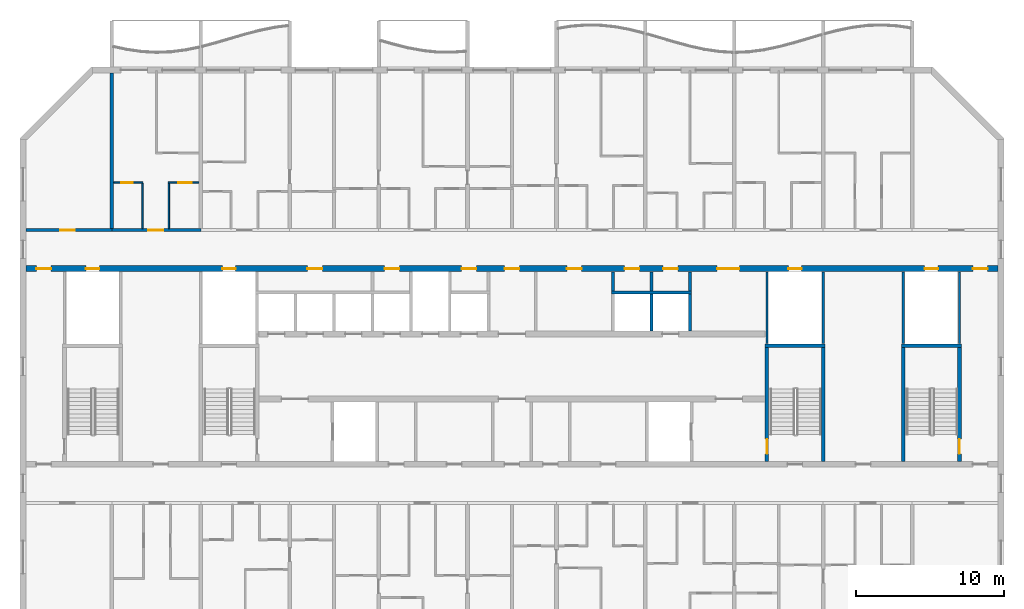
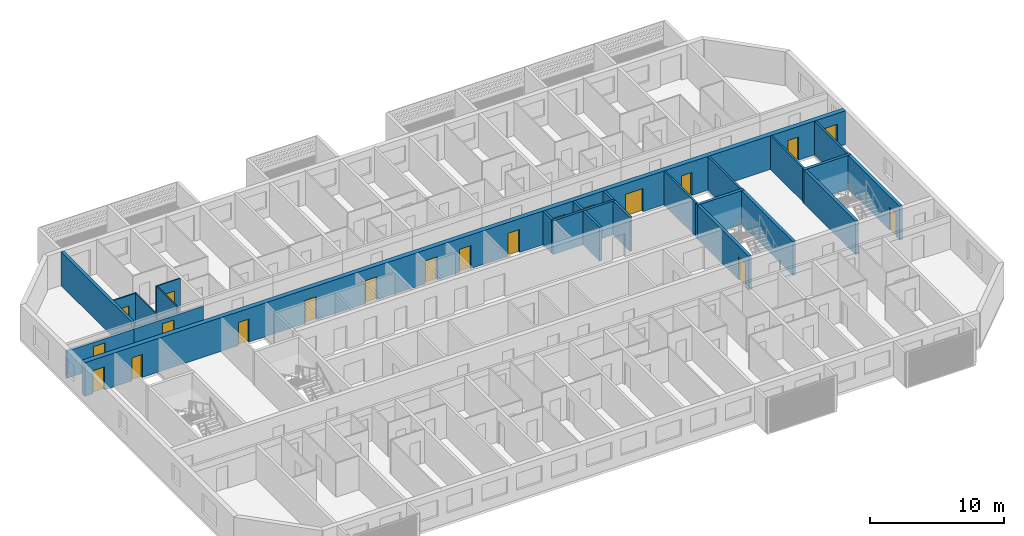
# One storey, part 7 of 28: 24 walls, 20 doors, 20 openings.
"""IFC4 building model written with IfcOpenShell, lengths in metres."""

import ifcopenshell
import ifcopenshell.guid

model = None  # the IFC model being written
_history = None  # IfcOwnerHistory: only IFC2X3 demands one
_inside = {}  # id of a spatial element -> (the spatial element, [elements in it])
_under = {}  # id of a project, library or spatial element -> (it, [spatial elements below it])
_declared = {}  # id of a project -> (the project, [libraries it declares])
_typed = {}  # id of a type object -> (the type object, [elements of that type])
_made_of = {}  # id of a material, layer set ... -> (it, [elements and type objects made of it])


def new_model(schema):
    """Start an empty IFC model of exactly this schema.

    Asked for "IFC4X3", IfcOpenShell would pick the latest addendum, in which some entities
    have other attributes; the version numbers below select the first issue.
    IFC2X3 requires an IfcOwnerHistory on every rooted entity: one is made here for all.
    """
    global model, _history
    if schema == "IFC4X3":
        model = ifcopenshell.file(schema_version=(4, 3, 0, 0))
    else:
        model = ifcopenshell.file(schema=schema)
    _inside.clear()
    _under.clear()
    _declared.clear()
    _typed.clear()
    _made_of.clear()
    _history = None
    if model.schema == "IFC2X3":
        org = make("IfcOrganization", Name="unknown")
        user = make(
            "IfcPersonAndOrganization",
            ThePerson=make("IfcPerson", FamilyName="unknown"),
            TheOrganization=org,
        )
        app = make(
            "IfcApplication",
            ApplicationDeveloper=org,
            Version="unknown",
            ApplicationFullName="unknown",
            ApplicationIdentifier="unknown",
        )
        _history = make(
            "IfcOwnerHistory",
            OwningUser=user,
            OwningApplication=app,
            ChangeAction="ADDED",
            CreationDate=0,
        )
    return model


def make(cls, **values):
    """One entity of the class cls with the attributes given. An attribute that is None is left unset."""
    return model.create_entity(
        cls, **{name: value for name, value in values.items() if value is not None}
    )


def rooted(cls, **values):
    """An entity with a GlobalId (a new one), such as an element, a storey or a relation."""
    return make(cls, GlobalId=ifcopenshell.guid.new(), OwnerHistory=_history, **values)


def si_unit(unit_type, name, prefix=None):
    """IfcSIUnit, for example si_unit("LENGTHUNIT", "METRE", prefix="MILLI")."""
    return make("IfcSIUnit", UnitType=unit_type, Prefix=prefix, Name=name)


def assignment(units):
    """IfcUnitAssignment: the units of a project."""
    return None if units is None else make("IfcUnitAssignment", Units=units)


def point(xyz):
    """IfcCartesianPoint."""
    return None if xyz is None else make("IfcCartesianPoint", Coordinates=xyz)


def direction(xyz):
    """IfcDirection."""
    return None if xyz is None else make("IfcDirection", DirectionRatios=xyz)


def frame(location, z_axis=None, x_axis=None):
    """IfcAxis2Placement3D, a coordinate frame: its origin and axes. An axis left out is left unset."""
    return make(
        "IfcAxis2Placement3D",
        Location=point(location),
        Axis=direction(z_axis),
        RefDirection=direction(x_axis),
    )


def frame_2d(location, x_axis=None):
    """IfcAxis2Placement2D, a coordinate frame in the plane: its origin and x axis."""
    return make(
        "IfcAxis2Placement2D", Location=point(location), RefDirection=direction(x_axis)
    )


def origin():
    """The frame at (0, 0, 0) with its axes left unset."""
    return frame((0.0, 0.0, 0.0))


def place(relative_to, where):
    """IfcLocalPlacement: puts the frame where relative to a parent placement (None: the world)."""
    return make(
        "IfcLocalPlacement", PlacementRelTo=relative_to, RelativePlacement=where
    )


def context(
    kind, dimensions, precision=None, world=None, true_north=None, identifier=None
):
    """IfcGeometricRepresentationContext, for example the 3D "Model" context."""
    return make(
        "IfcGeometricRepresentationContext",
        ContextIdentifier=identifier,
        ContextType=kind,
        CoordinateSpaceDimension=dimensions,
        Precision=precision,
        WorldCoordinateSystem=world,
        TrueNorth=true_north,
    )


def subcontext(parent, identifier, kind, view, scale=None):
    """IfcGeometricRepresentationSubContext, for example "Body" below "Model"."""
    return make(
        "IfcGeometricRepresentationSubContext",
        ContextIdentifier=identifier,
        ContextType=kind,
        ParentContext=parent,
        TargetScale=scale,
        TargetView=view,
    )


def project(units=None, contexts=None):
    """IfcProject with its units and contexts."""
    return rooted(
        "IfcProject",
        Name="project",
        RepresentationContexts=contexts,
        UnitsInContext=assignment(units),
    )


def spatial(cls, under=None, at=None, **own):
    """A site, building, storey or space (cls), placed at a placement, below another one or the project."""
    s = rooted(cls, ObjectPlacement=at, **own)
    if under is not None:
        _under.setdefault(under.id(), (under, []))[1].append(s)
    return s


def profile(cls, at=None, kind="AREA", **sizes):
    """A parametric profile (cls). Its sizes go by their IFC names, for example OverallWidth=200.0."""
    return make(cls, ProfileType=kind, Position=at, **sizes)


def rectangle(**sizes):
    """IfcRectangleProfileDef."""
    return profile("IfcRectangleProfileDef", **sizes)


def extrude(swept, where, along, depth):
    """IfcExtrudedAreaSolid: the profile swept, set in the frame where, extruded along a direction by depth."""
    return make(
        "IfcExtrudedAreaSolid",
        SweptArea=swept,
        Position=where,
        ExtrudedDirection=direction(along),
        Depth=depth,
    )


def shape(context_of_items, identifier, shape_type, items):
    """IfcShapeRepresentation: the items that make up one representation, for example the "Body"."""
    return make(
        "IfcShapeRepresentation",
        ContextOfItems=context_of_items,
        RepresentationIdentifier=identifier,
        RepresentationType=shape_type,
        Items=items,
    )


def material(Name=None, Category=None):
    """IfcMaterial."""
    return make("IfcMaterial", Name=Name, Category=Category)


def layer(
    of_material, thickness, ventilated=None, Name=None, Category=None, Priority=None
):
    """IfcMaterialLayer: one layer of a wall or slab, of a material (None: an air gap)."""
    return make(
        "IfcMaterialLayer",
        Material=of_material,
        LayerThickness=thickness,
        IsVentilated=ventilated,
        Name=Name,
        Category=Category,
        Priority=Priority,
    )


def layer_set(layers, Name=None):
    """IfcMaterialLayerSet."""
    return make("IfcMaterialLayerSet", MaterialLayers=layers, LayerSetName=Name)


def made_of(thing, what):
    """Note that an element or type object is made of a material, layer set ...; save() writes the relation."""
    if what is not None:
        _made_of.setdefault(what.id(), (what, []))[1].append(thing)
    return thing


def type_object(cls, material=None, **own):
    """A type object (cls), such as IfcWallType, which elements share."""
    return made_of(rooted(cls, **own), material)


def element(
    cls,
    number,
    at=None,
    inside=None,
    cuts=None,
    type_object=None,
    material=None,
    context=None,
    identifier="Body",
    shape_type=None,
    held_by="IfcProductDefinitionShape",
    body=None,
    shapes=None,
    **own,
):
    """One element of the class cls, such as IfcWall. Its Tag is "e" and its number.

    at: its placement. inside: the storey or other place that contains it. cuts: it is an
    opening in that element (IfcRelVoidsElement). A single representation is given by context,
    identifier, shape_type and body (its items); several are given by shapes. held_by: the class
    of the entity that holds the representations. save() writes the other relations.
    """
    e = rooted(cls, Tag="e%d" % number, ObjectPlacement=at, **own)
    if body is not None:
        shapes = [shape(context, identifier, shape_type, body)]
    if shapes is not None:
        e.Representation = make(held_by, Representations=shapes)
    if inside is not None:
        _inside.setdefault(inside.id(), (inside, []))[1].append(e)
    if cuts is not None:
        rooted(
            "IfcRelVoidsElement", RelatingBuildingElement=cuts, RelatedOpeningElement=e
        )
    if type_object is not None:
        _typed.setdefault(type_object.id(), (type_object, []))[1].append(e)
    return made_of(e, material)


def fill(opening, filler):
    """IfcRelFillsElement: the door or window that sits in an opening."""
    return rooted(
        "IfcRelFillsElement",
        RelatingOpeningElement=opening,
        RelatedBuildingElement=filler,
    )


def aggregate(whole, parts):
    """IfcRelAggregates: a whole, such as a stair, and the parts it consists of."""
    return rooted("IfcRelAggregates", RelatingObject=whole, RelatedObjects=parts)


def save(model, path):
    """Write the relations noted so far, then the file.

    IfcRelAggregates (storeys below a building ...), IfcRelContainedInSpatialStructure (elements
    in a storey), IfcRelDefinesByType, IfcRelAssociatesMaterial and IfcRelDeclares: one each for
    every whole, place, type object, material and project.
    """
    for whole, parts in _under.values():
        aggregate(whole, parts)
    for where, things in _inside.values():
        rooted(
            "IfcRelContainedInSpatialStructure",
            RelatedElements=things,
            RelatingStructure=where,
        )
    for kind, things in _typed.values():
        rooted("IfcRelDefinesByType", RelatedObjects=things, RelatingType=kind)
    for what, things in _made_of.values():
        rooted("IfcRelAssociatesMaterial", RelatedObjects=things, RelatingMaterial=what)
    for by, libraries in _declared.values():
        rooted("IfcRelDeclares", RelatingContext=by, RelatedDefinitions=libraries)
    model.write(path)


model = new_model("IFC4")

# Units and contexts
model_context = context("Model", 3, precision=1e-05, world=origin(), true_north=direction((0.0, 1.0)))
body_context = subcontext(model_context, "Body", "Model", "MODEL_VIEW")
ifc_project = project(units=[si_unit("LENGTHUNIT", "METRE"), si_unit("AREAUNIT", "SQUARE_METRE"), si_unit("VOLUMEUNIT", "CUBIC_METRE"), si_unit("PLANEANGLEUNIT", "RADIAN"), si_unit("MASSUNIT", "GRAM", prefix="KILO")], contexts=[model_context])

# Site, building, storey
site_placement = place(None, origin())
site = spatial("IfcSite", under=ifc_project, at=site_placement, CompositionType="ELEMENT")
building_placement = place(site_placement, origin())
building = spatial("IfcBuilding", under=site, at=building_placement, Name="Poui Terraces", CompositionType="ELEMENT")
storey_placement = place(building_placement, frame((0.0, 0.0, 188.39990234375)))
storey = spatial("IfcBuildingStorey", under=building, at=storey_placement, Name="L52", CompositionType="ELEMENT", Elevation=188.39990234375)

# Wall, opening, door
ifc_material_1 = material(Name="Concrete 50 MPa", Category="concrete")
ifc_layer_1 = layer(ifc_material_1, 0.199951171875)
ifc_layer_set_1 = layer_set([ifc_layer_1], Name="Concrete 50 MPa")
wall_type_1 = type_object("IfcWallType", Name="CORRIDOR WALL 200 50MPa", PredefinedType="SHEAR", material=ifc_layer_set_1)
wall_1_placement = place(storey_placement, frame((18.199951171875, 30.39990234375, 0.0), z_axis=(0.0, 0.0, 1.0), x_axis=(1.0, 0.0, 0.0)))
wall_1 = element("IfcWall", 1, at=wall_1_placement, inside=storey, type_object=wall_type_1, Name="CORRIDOR WALL LINE E BAY 1", PredefinedType="SHEAR", context=body_context, shape_type="SweptSolid", body=[
    extrude(rectangle(XDim=5.800048828125, YDim=0.199951171875, at=frame_2d((2.89990234375, 0.0))), origin(), (0.0, 0.0, 1.0), 2.47998046875),
])
opening_1_placement = place(wall_1_placement, frame((2.300048828125, 0.0, 0.0)))
opening_1 = element("IfcOpeningElement", 2, at=opening_1_placement, cuts=wall_1, Name="Opening D100", PredefinedType="OPENING", context=body_context, shape_type="SweptSolid", body=[
    extrude(rectangle(XDim=1.0, YDim=2.10009765625, at=frame_2d((0.5, 1.050048828125))), frame((0.0, 0.10986328125, 0.0), z_axis=(0.0, -1.0, 0.0), x_axis=(1.0, 0.0, 0.0)), (0.0, 0.0, 1.0), 0.219970703125),
])
ifc_material_2 = material(Name="Solid core timber door", Category="wood")
door_type_1 = type_object("IfcDoorType", Name="ACCESSIBLE INTERNAL DOOR 1000 X 2100", OperationType="NOTDEFINED", PredefinedType="DOOR", material=ifc_material_2)
door_1_placement = place(opening_1_placement, origin())
door_1 = element("IfcDoor", 3, at=door_1_placement, inside=storey, type_object=door_type_1, Name="ACCESSIBLE INTERNAL DOOR 026", OperationType="SINGLE_SWING_LEFT", OverallHeight=2.10009765625, OverallWidth=1.0, PredefinedType="DOOR", context=body_context, shape_type="SweptSolid", body=[
    extrude(rectangle(XDim=1.0, YDim=2.10009765625, at=frame_2d((0.5, 1.050048828125))), frame((0.0, 0.02490234375, 0.0), z_axis=(0.0, -1.0, 0.0), x_axis=(1.0, 0.0, 0.0)), (0.0, 0.0, 1.0), 0.050048828125),
])
fill(opening_1, door_1)

wall_2_placement = place(storey_placement, frame((24.0, 30.39990234375, 0.0), z_axis=(0.0, 0.0, 1.0), x_axis=(1.0, 0.0, 0.0)))
wall_2 = element("IfcWall", 4, at=wall_2_placement, inside=storey, type_object=wall_type_1, Name="CORRIDOR WALL LINE E BAY 2", PredefinedType="SHEAR", context=body_context, shape_type="SweptSolid", body=[
    extrude(rectangle(XDim=6.0, YDim=0.199951171875, at=frame_2d((3.0, 0.0))), origin(), (0.0, 0.0, 1.0), 2.47998046875),
])
opening_2_placement = place(wall_2_placement, frame((2.449951171875, 0.0, 0.0)))
opening_2 = element("IfcOpeningElement", 5, at=opening_2_placement, cuts=wall_2, Name="Opening FD30S", PredefinedType="OPENING", context=body_context, shape_type="SweptSolid", body=[
    extrude(rectangle(XDim=1.0, YDim=2.10009765625, at=frame_2d((0.5, 1.050048828125))), frame((0.0, 0.10986328125, 0.0), z_axis=(0.0, -1.0, 0.0), x_axis=(1.0, 0.0, 0.0)), (0.0, 0.0, 1.0), 0.219970703125),
])
ifc_material_3 = material(Name="Steel fire door", Category="steel")
door_type_2 = type_object("IfcDoorType", Name="FLAT ENTRANCE DOOR 1000 X 2100", OperationType="NOTDEFINED", PredefinedType="DOOR", material=ifc_material_3)
door_2_placement = place(opening_2_placement, origin())
door_2 = element("IfcDoor", 6, at=door_2_placement, inside=storey, type_object=door_type_2, Name="FLAT ENTRANCE DOOR 028", OperationType="SINGLE_SWING_LEFT", OverallHeight=2.10009765625, OverallWidth=1.0, PredefinedType="DOOR", context=body_context, shape_type="SweptSolid", body=[
    extrude(rectangle(XDim=1.0, YDim=2.10009765625, at=frame_2d((0.5, 1.050048828125))), frame((0.0, 0.02490234375, 0.0), z_axis=(0.0, -1.0, 0.0), x_axis=(1.0, 0.0, 0.0)), (0.0, 0.0, 1.0), 0.050048828125),
])
fill(opening_2, door_2)

# Wall
ifc_layer_2 = layer(ifc_material_1, 0.25)
ifc_layer_set_2 = layer_set([ifc_layer_2], Name="Concrete 50 MPa")
wall_type_2 = type_object("IfcWallType", Name="CROSS WALL 250 50MPa", PredefinedType="SHEAR", material=ifc_layer_set_2)
wall_3_placement = place(storey_placement, frame((24.0, 30.5, 0.0), z_axis=(0.0, 0.0, 1.0), x_axis=(0.0, 1.0, 0.0)))
element("IfcWall", 7, at=wall_3_placement, inside=storey, type_object=wall_type_2, Name="CROSS WALL LINE 5 NORTH", PredefinedType="SHEAR", context=body_context, shape_type="SweptSolid", body=[
    extrude(rectangle(XDim=10.5, YDim=0.25, at=frame_2d((5.25, 0.0))), origin(), (0.0, 0.0, 1.0), 3.080078125),
])

# Wall, opening, door
ifc_material_4 = material(Name="Plasterboard partition")
ifc_layer_3 = layer(ifc_material_4, 0.10009765625)
ifc_layer_set_3 = layer_set([ifc_layer_3], Name="Plasterboard partition")
wall_type_3 = type_object("IfcWallType", Name="FLAT PARTITION 100", PredefinedType="PARTITIONING", material=ifc_layer_set_3)
wall_4_placement = place(storey_placement, frame((24.135009765625, 33.60009765625, 0.0), z_axis=(0.0, 0.0, 1.0), x_axis=(1.0, 0.0, 0.0)))
wall_4 = element("IfcWall", 8, at=wall_4_placement, inside=storey, type_object=wall_type_3, Name="FLAT PARTITION 100", PredefinedType="PARTITIONING", context=body_context, shape_type="SweptSolid", body=[
    extrude(rectangle(XDim=1.965087890625, YDim=0.10009765625, at=frame_2d((0.982421875, 0.0))), origin(), (0.0, 0.0, 1.0), 3.080078125),
])
opening_3_placement = place(wall_4_placement, frame((0.489990234375, 0.0, 0.0)))
opening_3 = element("IfcOpeningElement", 9, at=opening_3_placement, cuts=wall_4, Name="Opening D80", PredefinedType="OPENING", context=body_context, shape_type="SweptSolid", body=[
    extrude(rectangle(XDim=0.800048828125, YDim=2.10009765625, at=frame_2d((0.39990234375, 1.050048828125))), frame((0.0, 0.06005859375, 0.0), z_axis=(0.0, -1.0, 0.0), x_axis=(1.0, 0.0, 0.0)), (0.0, 0.0, 1.0), 0.1201171875),
])
door_type_3 = type_object("IfcDoorType", Name="BATHROOM, LAUNDRY AND STORE DOOR 800 X 2100", OperationType="NOTDEFINED", PredefinedType="DOOR", material=ifc_material_2)
door_3_placement = place(opening_3_placement, frame((0.800048828125, 0.0, 0.0), z_axis=(0.0, 0.0, 1.0), x_axis=(-1.0, 0.0, 0.0)))
door_3 = element("IfcDoor", 10, at=door_3_placement, inside=storey, type_object=door_type_3, Name="BATHROOM, LAUNDRY AND STORE DOOR 027", OperationType="SINGLE_SWING_LEFT", OverallHeight=2.10009765625, OverallWidth=0.800048828125, PredefinedType="DOOR", context=body_context, shape_type="SweptSolid", body=[
    extrude(rectangle(XDim=0.800048828125, YDim=2.10009765625, at=frame_2d((0.39990234375, 1.050048828125))), frame((0.0, 0.02490234375, 0.0), z_axis=(0.0, -1.0, 0.0), x_axis=(1.0, 0.0, 0.0)), (0.0, 0.0, 1.0), 0.050048828125),
])
fill(opening_3, door_3)

wall_5_placement = place(storey_placement, frame((27.800048828125, 33.60009765625, 0.0), z_axis=(0.0, 0.0, 1.0), x_axis=(1.0, 0.0, 0.0)))
wall_5 = element("IfcWall", 11, at=wall_5_placement, inside=storey, type_object=wall_type_3, Name="FLAT PARTITION 100", PredefinedType="PARTITIONING", context=body_context, shape_type="SweptSolid", body=[
    extrude(rectangle(XDim=2.06494140625, YDim=0.10009765625, at=frame_2d((1.032470703125, 0.0))), origin(), (0.0, 0.0, 1.0), 3.080078125),
])
opening_4_placement = place(wall_5_placement, frame((0.675048828125, 0.0, 0.0)))
opening_4 = element("IfcOpeningElement", 12, at=opening_4_placement, cuts=wall_5, Name="Opening D90", PredefinedType="OPENING", context=body_context, shape_type="SweptSolid", body=[
    extrude(rectangle(XDim=0.89990234375, YDim=2.10009765625, at=frame_2d((0.449951171875, 1.050048828125))), frame((0.0, 0.06005859375, 0.0), z_axis=(0.0, -1.0, 0.0), x_axis=(1.0, 0.0, 0.0)), (0.0, 0.0, 1.0), 0.1201171875),
])
door_type_4 = type_object("IfcDoorType", Name="INTERNAL DOOR 900 X 2100", OperationType="NOTDEFINED", PredefinedType="DOOR", material=ifc_material_2)
door_4_placement = place(opening_4_placement, frame((0.89990234375, 0.0, 0.0), z_axis=(0.0, 0.0, 1.0), x_axis=(-1.0, 0.0, 0.0)))
door_4 = element("IfcDoor", 13, at=door_4_placement, inside=storey, type_object=door_type_4, Name="INTERNAL DOOR 030", OperationType="SINGLE_SWING_RIGHT", OverallHeight=2.10009765625, OverallWidth=0.89990234375, PredefinedType="DOOR", context=body_context, shape_type="SweptSolid", body=[
    extrude(rectangle(XDim=0.89990234375, YDim=2.10009765625, at=frame_2d((0.449951171875, 1.050048828125))), frame((0.0, 0.02490234375, 0.0), z_axis=(0.0, -1.0, 0.0), x_axis=(1.0, 0.0, 0.0)), (0.0, 0.0, 1.0), 0.050048828125),
])
fill(opening_4, door_4)

# Walls
for number, where, z_axis, x_axis, name in (
    (14, (26.050048828125, 30.510009765625, 0.0), (0.0, 0.0, 1.0), (0.0, 1.0, 0.0), "FLAT PARTITION 100"),
    (15, (27.85009765625, 30.510009765625, 0.0), (0.0, 0.0, 1.0), (0.0, 1.0, 0.0), "FLAT PARTITION 100"),
):
    element("IfcWall", number, at=place(storey_placement, frame(where, z_axis=z_axis, x_axis=x_axis)), inside=storey, type_object=wall_type_3, Name=name, PredefinedType="PARTITIONING", context=body_context, shape_type="SweptSolid", body=[
        extrude(rectangle(XDim=3.0400390625, YDim=0.10009765625, at=frame_2d((1.52001953125, 0.0))), origin(), (0.0, 0.0, 1.0), 3.080078125),
    ])
ifc_material_5 = material(Name="Fire-rated masonry wall", Category="masonry")
ifc_layer_4 = layer(ifc_material_5, 0.199951171875)
ifc_layer_set_4 = layer_set([ifc_layer_4], Name="Fire-rated masonry wall")
wall_type_4 = type_object("IfcWallType", Name="PLANT ROOM WALL 200", PredefinedType="PARTITIONING", material=ifc_layer_set_4)
for number, where, z_axis, x_axis, name in (
    (16, (57.800048828125, 26.300048828125, 0.0), (0.0, 0.0, 1.0), (0.0, 1.0, 0.0), "PLANT ROOM WALL 200"),
    (17, (60.39990234375, 26.300048828125, 0.0), (0.0, 0.0, 1.0), (0.0, 1.0, 0.0), "PLANT ROOM WALL 200"),
    (18, (63.0, 26.300048828125, 0.0), (0.0, 0.0, 1.0), (0.0, 1.0, 0.0), "PLANT ROOM WALL 200"),
):
    element("IfcWall", number, at=place(storey_placement, frame(where, z_axis=z_axis, x_axis=x_axis)), inside=storey, type_object=wall_type_4, Name=name, PredefinedType="PARTITIONING", context=body_context, shape_type="SweptSolid", body=[
        extrude(rectangle(XDim=1.2900390625, YDim=0.199951171875, at=frame_2d((0.64501953125, 0.0))), origin(), (0.0, 0.0, 1.0), 3.080078125),
    ])
ifc_material_6 = material(Name="Fire-rated plasterboard riser wall")
ifc_layer_5 = layer(ifc_material_6, 0.14990234375)
ifc_layer_set_5 = layer_set([ifc_layer_5], Name="Fire-rated plasterboard riser wall")
wall_type_5 = type_object("IfcWallType", Name="RISER WALL 150", PredefinedType="PARTITIONING", material=ifc_layer_set_5)
for number, where, z_axis, x_axis, name in (
    (19, (68.199951171875, 22.735107421875, 0.0), (0.0, 0.0, 1.0), (0.0, 1.0, 0.0), "RISER WALL 150"),
    (20, (72.0, 22.735107421875, 0.0), (0.0, 0.0, 1.0), (0.0, 1.0, 0.0), "RISER WALL 150"),
    (21, (77.39990234375, 22.735107421875, 0.0), (0.0, 0.0, 1.0), (0.0, 1.0, 0.0), "RISER WALL 150"),
    (22, (81.199951171875, 22.735107421875, 0.0), (0.0, 0.0, 1.0), (0.0, 1.0, 0.0), "RISER WALL 150"),
):
    element("IfcWall", number, at=place(storey_placement, frame(where, z_axis=z_axis, x_axis=x_axis)), inside=storey, type_object=wall_type_5, Name=name, PredefinedType="PARTITIONING", context=body_context, shape_type="SweptSolid", body=[
        extrude(rectangle(XDim=4.85498046875, YDim=0.14990234375, at=frame_2d((2.427490234375, 0.0))), origin(), (0.0, 0.0, 1.0), 3.080078125),
    ])
ifc_material_7 = material(Name="Fire-rated masonry shaft wall", Category="masonry")
ifc_layer_6 = layer(ifc_material_7, 0.199951171875)
ifc_layer_set_6 = layer_set([ifc_layer_6], Name="Fire-rated masonry shaft wall")
wall_type_6 = type_object("IfcWallType", Name="SHAFT WALL 200", PredefinedType="PARTITIONING", material=ifc_layer_set_6)
wall_6_placement = place(storey_placement, frame((57.699951171875, 26.199951171875, 0.0), z_axis=(0.0, 0.0, 1.0), x_axis=(1.0, 0.0, 0.0)))
element("IfcWall", 23, at=wall_6_placement, inside=storey, type_object=wall_type_6, Name="SHAFT WALL 200", PredefinedType="PARTITIONING", context=body_context, shape_type="SweptSolid", body=[
    extrude(rectangle(XDim=5.400146484375, YDim=0.199951171875, at=frame_2d((2.7001953125, 0.0))), origin(), (0.0, 0.0, 1.0), 3.080078125),
])
for number, where, z_axis, x_axis, name in (
    (24, (60.39990234375, 23.610107421875, 0.0), (0.0, 0.0, 1.0), (0.0, 1.0, 0.0), "SHAFT WALL 200"),
    (25, (63.0, 23.610107421875, 0.0), (0.0, 0.0, 1.0), (0.0, 1.0, 0.0), "SHAFT WALL 200"),
):
    element("IfcWall", number, at=place(storey_placement, frame(where, z_axis=z_axis, x_axis=x_axis)), inside=storey, type_object=wall_type_6, Name=name, PredefinedType="PARTITIONING", context=body_context, shape_type="SweptSolid", body=[
        extrude(rectangle(XDim=2.489990234375, YDim=0.199951171875, at=frame_2d((1.2451171875, 0.0))), origin(), (0.0, 0.0, 1.0), 3.080078125),
    ])

# Wall, openings, doors
ifc_layer_7 = layer(ifc_material_1, 0.39990234375)
ifc_layer_set_7 = layer_set([ifc_layer_7], Name="Concrete 50 MPa")
wall_type_7 = type_object("IfcWallType", Name="SPINE WALL 400 50 MPA", PredefinedType="SOLIDWALL", material=ifc_layer_set_7)
wall_7_placement = place(storey_placement, frame((18.199951171875, 27.800048828125, 0.0), z_axis=(0.0, 0.0, 1.0), x_axis=(1.0, 0.0, 0.0)))
wall_7 = element("IfcWall", 26, at=wall_7_placement, inside=storey, type_object=wall_type_7, Name="SPINE WALL", PredefinedType="SOLIDWALL", context=body_context, shape_type="SweptSolid", body=[
    extrude(rectangle(XDim=65.60009765625, YDim=0.39990234375, at=frame_2d((32.800048828125, 0.0))), origin(), (0.0, 0.0, 1.0), 3.080078125),
])
opening_5_placement = place(wall_7_placement, frame((0.699951171875, 0.0, 0.0)))
opening_5 = element("IfcOpeningElement", 27, at=opening_5_placement, cuts=wall_7, Name="Opening FDL", PredefinedType="OPENING", context=body_context, shape_type="SweptSolid", body=[
    extrude(rectangle(XDim=1.0, YDim=2.10009765625, at=frame_2d((0.5, 1.050048828125))), frame((0.0, 0.2099609375, 0.0), z_axis=(0.0, -1.0, 0.0), x_axis=(1.0, 0.0, 0.0)), (0.0, 0.0, 1.0), 0.419921875),
])
opening_6_placement = place(wall_7_placement, frame((4.050048828125, 0.0, 0.0)))
opening_6 = element("IfcOpeningElement", 28, at=opening_6_placement, cuts=wall_7, Name="Opening FDR", PredefinedType="OPENING", context=body_context, shape_type="SweptSolid", body=[
    extrude(rectangle(XDim=0.89990234375, YDim=2.10009765625, at=frame_2d((0.449951171875, 1.050048828125))), frame((0.0, 0.2099609375, 0.0), z_axis=(0.0, -1.0, 0.0), x_axis=(1.0, 0.0, 0.0)), (0.0, 0.0, 1.0), 0.419921875),
])
opening_7_placement = place(wall_7_placement, frame((13.25, 0.0, 0.0)))
opening_7 = element("IfcOpeningElement", 29, at=opening_7_placement, cuts=wall_7, Name="Opening FDR", PredefinedType="OPENING", context=body_context, shape_type="SweptSolid", body=[
    extrude(rectangle(XDim=0.89990234375, YDim=2.10009765625, at=frame_2d((0.449951171875, 1.050048828125))), frame((0.0, 0.2099609375, 0.0), z_axis=(0.0, -1.0, 0.0), x_axis=(1.0, 0.0, 0.0)), (0.0, 0.0, 1.0), 0.419921875),
])
opening_8_placement = place(wall_7_placement, frame((19.0, 0.0, 0.0)))
opening_8 = element("IfcOpeningElement", 30, at=opening_8_placement, cuts=wall_7, Name="Opening FD60", PredefinedType="OPENING", context=body_context, shape_type="SweptSolid", body=[
    extrude(rectangle(XDim=1.0, YDim=2.10009765625, at=frame_2d((0.5, 1.050048828125))), frame((0.0, 0.2099609375, 0.0), z_axis=(0.0, -1.0, 0.0), x_axis=(1.0, 0.0, 0.0)), (0.0, 0.0, 1.0), 0.419921875),
])
opening_9_placement = place(wall_7_placement, frame((24.199951171875, 0.0, 0.0)))
opening_9 = element("IfcOpeningElement", 31, at=opening_9_placement, cuts=wall_7, Name="Opening FD60", PredefinedType="OPENING", context=body_context, shape_type="SweptSolid", body=[
    extrude(rectangle(XDim=1.0, YDim=2.10009765625, at=frame_2d((0.5, 1.050048828125))), frame((0.0, 0.2099609375, 0.0), z_axis=(0.0, -1.0, 0.0), x_axis=(1.0, 0.0, 0.0)), (0.0, 0.0, 1.0), 0.419921875),
])
opening_10_placement = place(wall_7_placement, frame((29.39990234375, 0.0, 0.0)))
opening_10 = element("IfcOpeningElement", 32, at=opening_10_placement, cuts=wall_7, Name="Opening FD60", PredefinedType="OPENING", context=body_context, shape_type="SweptSolid", body=[
    extrude(rectangle(XDim=1.0, YDim=2.10009765625, at=frame_2d((0.5, 1.050048828125))), frame((0.0, 0.2099609375, 0.0), z_axis=(0.0, -1.0, 0.0), x_axis=(1.0, 0.0, 0.0)), (0.0, 0.0, 1.0), 0.419921875),
])
opening_11_placement = place(wall_7_placement, frame((32.300048828125, 0.0, 0.0)))
opening_11 = element("IfcOpeningElement", 33, at=opening_11_placement, cuts=wall_7, Name="Opening FDL", PredefinedType="OPENING", context=body_context, shape_type="SweptSolid", body=[
    extrude(rectangle(XDim=1.0, YDim=2.10009765625, at=frame_2d((0.5, 1.050048828125))), frame((0.0, 0.2099609375, 0.0), z_axis=(0.0, -1.0, 0.0), x_axis=(1.0, 0.0, 0.0)), (0.0, 0.0, 1.0), 0.419921875),
])
opening_12_placement = place(wall_7_placement, frame((36.5, 0.0, 0.0)))
opening_12 = element("IfcOpeningElement", 34, at=opening_12_placement, cuts=wall_7, Name="Opening FD60", PredefinedType="OPENING", context=body_context, shape_type="SweptSolid", body=[
    extrude(rectangle(XDim=1.0, YDim=2.10009765625, at=frame_2d((0.5, 1.050048828125))), frame((0.0, 0.2099609375, 0.0), z_axis=(0.0, -1.0, 0.0), x_axis=(1.0, 0.0, 0.0)), (0.0, 0.0, 1.0), 0.419921875),
])
opening_13_placement = place(wall_7_placement, frame((40.39990234375, 0.0, 0.0)))
opening_13 = element("IfcOpeningElement", 35, at=opening_13_placement, cuts=wall_7, Name="Opening FD60", PredefinedType="OPENING", context=body_context, shape_type="SweptSolid", body=[
    extrude(rectangle(XDim=1.0, YDim=2.10009765625, at=frame_2d((0.5, 1.050048828125))), frame((0.0, 0.2099609375, 0.0), z_axis=(0.0, -1.0, 0.0), x_axis=(1.0, 0.0, 0.0)), (0.0, 0.0, 1.0), 0.419921875),
])
opening_14_placement = place(wall_7_placement, frame((43.0, 0.0, 0.0)))
opening_14 = element("IfcOpeningElement", 36, at=opening_14_placement, cuts=wall_7, Name="Opening FD60", PredefinedType="OPENING", context=body_context, shape_type="SweptSolid", body=[
    extrude(rectangle(XDim=1.0, YDim=2.10009765625, at=frame_2d((0.5, 1.050048828125))), frame((0.0, 0.2099609375, 0.0), z_axis=(0.0, -1.0, 0.0), x_axis=(1.0, 0.0, 0.0)), (0.0, 0.0, 1.0), 0.419921875),
])
opening_15_placement = place(wall_7_placement, frame((46.64990234375, 0.0, 0.0)))
opening_15 = element("IfcOpeningElement", 37, at=opening_15_placement, cuts=wall_7, Name="Opening FDP", PredefinedType="OPENING", context=body_context, shape_type="SweptSolid", body=[
    extrude(rectangle(XDim=1.5, YDim=2.10009765625, at=frame_2d((0.75, 1.050048828125))), frame((0.0, 0.2099609375, 0.0), z_axis=(0.0, -1.0, 0.0), x_axis=(1.0, 0.0, 0.0)), (0.0, 0.0, 1.0), 0.419921875),
])
opening_16_placement = place(wall_7_placement, frame((51.449951171875, 0.0, 0.0)))
opening_16 = element("IfcOpeningElement", 38, at=opening_16_placement, cuts=wall_7, Name="Opening FDR", PredefinedType="OPENING", context=body_context, shape_type="SweptSolid", body=[
    extrude(rectangle(XDim=0.89990234375, YDim=2.10009765625, at=frame_2d((0.449951171875, 1.050048828125))), frame((0.0, 0.2099609375, 0.0), z_axis=(0.0, -1.0, 0.0), x_axis=(1.0, 0.0, 0.0)), (0.0, 0.0, 1.0), 0.419921875),
])
opening_17_placement = place(wall_7_placement, frame((60.64990234375, 0.0, 0.0)))
opening_17 = element("IfcOpeningElement", 39, at=opening_17_placement, cuts=wall_7, Name="Opening FDR", PredefinedType="OPENING", context=body_context, shape_type="SweptSolid", body=[
    extrude(rectangle(XDim=0.89990234375, YDim=2.10009765625, at=frame_2d((0.449951171875, 1.050048828125))), frame((0.0, 0.2099609375, 0.0), z_axis=(0.0, -1.0, 0.0), x_axis=(1.0, 0.0, 0.0)), (0.0, 0.0, 1.0), 0.419921875),
])
opening_18_placement = place(wall_7_placement, frame((63.89990234375, 0.0, 0.0)))
opening_18 = element("IfcOpeningElement", 40, at=opening_18_placement, cuts=wall_7, Name="Opening FDL", PredefinedType="OPENING", context=body_context, shape_type="SweptSolid", body=[
    extrude(rectangle(XDim=1.0, YDim=2.10009765625, at=frame_2d((0.5, 1.050048828125))), frame((0.0, 0.2099609375, 0.0), z_axis=(0.0, -1.0, 0.0), x_axis=(1.0, 0.0, 0.0)), (0.0, 0.0, 1.0), 0.419921875),
])
door_type_5 = type_object("IfcDoorType", Name="LOBBY FIRE DOOR 1000 X 2100", OperationType="NOTDEFINED", PredefinedType="DOOR", material=ifc_material_3)
door_5_placement = place(opening_5_placement, origin())
door_5 = element("IfcDoor", 41, at=door_5_placement, inside=storey, type_object=door_type_5, Name="LOBBY FIRE DOOR 001", OperationType="SINGLE_SWING_LEFT", OverallHeight=2.10009765625, OverallWidth=1.0, PredefinedType="DOOR", context=body_context, shape_type="SweptSolid", body=[
    extrude(rectangle(XDim=1.0, YDim=2.10009765625, at=frame_2d((0.5, 1.050048828125))), frame((0.0, 0.02490234375, 0.0), z_axis=(0.0, -1.0, 0.0), x_axis=(1.0, 0.0, 0.0)), (0.0, 0.0, 1.0), 0.050048828125),
])
fill(opening_5, door_5)
door_6_placement = place(opening_11_placement, origin())
door_6 = element("IfcDoor", 42, at=door_6_placement, inside=storey, type_object=door_type_5, Name="LOBBY FIRE DOOR 007", OperationType="SINGLE_SWING_RIGHT", OverallHeight=2.10009765625, OverallWidth=1.0, PredefinedType="DOOR", context=body_context, shape_type="SweptSolid", body=[
    extrude(rectangle(XDim=1.0, YDim=2.10009765625, at=frame_2d((0.5, 1.050048828125))), frame((0.0, 0.02490234375, 0.0), z_axis=(0.0, -1.0, 0.0), x_axis=(1.0, 0.0, 0.0)), (0.0, 0.0, 1.0), 0.050048828125),
])
fill(opening_11, door_6)
door_7_placement = place(opening_18_placement, origin())
door_7 = element("IfcDoor", 43, at=door_7_placement, inside=storey, type_object=door_type_5, Name="LOBBY FIRE DOOR 014", OperationType="SINGLE_SWING_RIGHT", OverallHeight=2.10009765625, OverallWidth=1.0, PredefinedType="DOOR", context=body_context, shape_type="SweptSolid", body=[
    extrude(rectangle(XDim=1.0, YDim=2.10009765625, at=frame_2d((0.5, 1.050048828125))), frame((0.0, 0.02490234375, 0.0), z_axis=(0.0, -1.0, 0.0), x_axis=(1.0, 0.0, 0.0)), (0.0, 0.0, 1.0), 0.050048828125),
])
fill(opening_18, door_7)
door_type_6 = type_object("IfcDoorType", Name="PLANT ROOM DOOR PAIR 1500 X 2100", OperationType="DOUBLE_DOOR_SINGLE_SWING", PredefinedType="DOOR", material=ifc_material_3)
door_8_placement = place(opening_15_placement, origin())
door_8 = element("IfcDoor", 44, at=door_8_placement, inside=storey, type_object=door_type_6, Name="PLANT ROOM DOOR PAIR 011", OperationType="DOUBLE_DOOR_SINGLE_SWING", OverallHeight=2.10009765625, OverallWidth=1.5, PredefinedType="DOOR", context=body_context, shape_type="SweptSolid", body=[
    extrude(rectangle(XDim=1.5, YDim=2.10009765625, at=frame_2d((0.75, 1.050048828125))), frame((0.0, 0.02490234375, 0.0), z_axis=(0.0, -1.0, 0.0), x_axis=(1.0, 0.0, 0.0)), (0.0, 0.0, 1.0), 0.050048828125),
])
fill(opening_15, door_8)
door_type_7 = type_object("IfcDoorType", Name="RISER CUPBOARD DOOR 900 X 2100", OperationType="NOTDEFINED", PredefinedType="DOOR", material=ifc_material_3)
door_9_placement = place(opening_6_placement, origin())
door_9 = element("IfcDoor", 45, at=door_9_placement, inside=storey, type_object=door_type_7, Name="RISER CUPBOARD DOOR 002", OperationType="SINGLE_SWING_LEFT", OverallHeight=2.10009765625, OverallWidth=0.89990234375, PredefinedType="DOOR", context=body_context, shape_type="SweptSolid", body=[
    extrude(rectangle(XDim=0.89990234375, YDim=2.10009765625, at=frame_2d((0.449951171875, 1.050048828125))), frame((0.0, 0.02490234375, 0.0), z_axis=(0.0, -1.0, 0.0), x_axis=(1.0, 0.0, 0.0)), (0.0, 0.0, 1.0), 0.050048828125),
])
fill(opening_6, door_9)
door_10_placement = place(opening_7_placement, origin())
door_10 = element("IfcDoor", 46, at=door_10_placement, inside=storey, type_object=door_type_7, Name="RISER CUPBOARD DOOR 003", OperationType="SINGLE_SWING_LEFT", OverallHeight=2.10009765625, OverallWidth=0.89990234375, PredefinedType="DOOR", context=body_context, shape_type="SweptSolid", body=[
    extrude(rectangle(XDim=0.89990234375, YDim=2.10009765625, at=frame_2d((0.449951171875, 1.050048828125))), frame((0.0, 0.02490234375, 0.0), z_axis=(0.0, -1.0, 0.0), x_axis=(1.0, 0.0, 0.0)), (0.0, 0.0, 1.0), 0.050048828125),
])
fill(opening_7, door_10)
door_11_placement = place(opening_16_placement, origin())
door_11 = element("IfcDoor", 47, at=door_11_placement, inside=storey, type_object=door_type_7, Name="RISER CUPBOARD DOOR 012", OperationType="SINGLE_SWING_RIGHT", OverallHeight=2.10009765625, OverallWidth=0.89990234375, PredefinedType="DOOR", context=body_context, shape_type="SweptSolid", body=[
    extrude(rectangle(XDim=0.89990234375, YDim=2.10009765625, at=frame_2d((0.449951171875, 1.050048828125))), frame((0.0, 0.02490234375, 0.0), z_axis=(0.0, -1.0, 0.0), x_axis=(1.0, 0.0, 0.0)), (0.0, 0.0, 1.0), 0.050048828125),
])
fill(opening_16, door_11)
door_12_placement = place(opening_17_placement, origin())
door_12 = element("IfcDoor", 48, at=door_12_placement, inside=storey, type_object=door_type_7, Name="RISER CUPBOARD DOOR 013", OperationType="SINGLE_SWING_RIGHT", OverallHeight=2.10009765625, OverallWidth=0.89990234375, PredefinedType="DOOR", context=body_context, shape_type="SweptSolid", body=[
    extrude(rectangle(XDim=0.89990234375, YDim=2.10009765625, at=frame_2d((0.449951171875, 1.050048828125))), frame((0.0, 0.02490234375, 0.0), z_axis=(0.0, -1.0, 0.0), x_axis=(1.0, 0.0, 0.0)), (0.0, 0.0, 1.0), 0.050048828125),
])
fill(opening_17, door_12)
door_type_8 = type_object("IfcDoorType", Name="SERVICE ROOM FIRE DOOR 1000 X 2100", OperationType="NOTDEFINED", PredefinedType="DOOR", material=ifc_material_3)
door_13_placement = place(opening_8_placement, origin())
door_13 = element("IfcDoor", 49, at=door_13_placement, inside=storey, type_object=door_type_8, Name="SERVICE ROOM FIRE DOOR 004", OperationType="SINGLE_SWING_LEFT", OverallHeight=2.10009765625, OverallWidth=1.0, PredefinedType="DOOR", context=body_context, shape_type="SweptSolid", body=[
    extrude(rectangle(XDim=1.0, YDim=2.10009765625, at=frame_2d((0.5, 1.050048828125))), frame((0.0, 0.02490234375, 0.0), z_axis=(0.0, -1.0, 0.0), x_axis=(1.0, 0.0, 0.0)), (0.0, 0.0, 1.0), 0.050048828125),
])
fill(opening_8, door_13)
door_14_placement = place(opening_9_placement, origin())
door_14 = element("IfcDoor", 50, at=door_14_placement, inside=storey, type_object=door_type_8, Name="SERVICE ROOM FIRE DOOR 005", OperationType="SINGLE_SWING_RIGHT", OverallHeight=2.10009765625, OverallWidth=1.0, PredefinedType="DOOR", context=body_context, shape_type="SweptSolid", body=[
    extrude(rectangle(XDim=1.0, YDim=2.10009765625, at=frame_2d((0.5, 1.050048828125))), frame((0.0, 0.02490234375, 0.0), z_axis=(0.0, -1.0, 0.0), x_axis=(1.0, 0.0, 0.0)), (0.0, 0.0, 1.0), 0.050048828125),
])
fill(opening_9, door_14)
door_15_placement = place(opening_10_placement, origin())
door_15 = element("IfcDoor", 51, at=door_15_placement, inside=storey, type_object=door_type_8, Name="SERVICE ROOM FIRE DOOR 006", OperationType="SINGLE_SWING_LEFT", OverallHeight=2.10009765625, OverallWidth=1.0, PredefinedType="DOOR", context=body_context, shape_type="SweptSolid", body=[
    extrude(rectangle(XDim=1.0, YDim=2.10009765625, at=frame_2d((0.5, 1.050048828125))), frame((0.0, 0.02490234375, 0.0), z_axis=(0.0, -1.0, 0.0), x_axis=(1.0, 0.0, 0.0)), (0.0, 0.0, 1.0), 0.050048828125),
])
fill(opening_10, door_15)
door_16_placement = place(opening_12_placement, origin())
door_16 = element("IfcDoor", 52, at=door_16_placement, inside=storey, type_object=door_type_8, Name="SERVICE ROOM FIRE DOOR 008", OperationType="SINGLE_SWING_RIGHT", OverallHeight=2.10009765625, OverallWidth=1.0, PredefinedType="DOOR", context=body_context, shape_type="SweptSolid", body=[
    extrude(rectangle(XDim=1.0, YDim=2.10009765625, at=frame_2d((0.5, 1.050048828125))), frame((0.0, 0.02490234375, 0.0), z_axis=(0.0, -1.0, 0.0), x_axis=(1.0, 0.0, 0.0)), (0.0, 0.0, 1.0), 0.050048828125),
])
fill(opening_12, door_16)
door_17_placement = place(opening_13_placement, origin())
door_17 = element("IfcDoor", 53, at=door_17_placement, inside=storey, type_object=door_type_8, Name="SERVICE ROOM FIRE DOOR 009", OperationType="SINGLE_SWING_LEFT", OverallHeight=2.10009765625, OverallWidth=1.0, PredefinedType="DOOR", context=body_context, shape_type="SweptSolid", body=[
    extrude(rectangle(XDim=1.0, YDim=2.10009765625, at=frame_2d((0.5, 1.050048828125))), frame((0.0, 0.02490234375, 0.0), z_axis=(0.0, -1.0, 0.0), x_axis=(1.0, 0.0, 0.0)), (0.0, 0.0, 1.0), 0.050048828125),
])
fill(opening_13, door_17)
door_18_placement = place(opening_14_placement, origin())
door_18 = element("IfcDoor", 54, at=door_18_placement, inside=storey, type_object=door_type_8, Name="SERVICE ROOM FIRE DOOR 010", OperationType="SINGLE_SWING_RIGHT", OverallHeight=2.10009765625, OverallWidth=1.0, PredefinedType="DOOR", context=body_context, shape_type="SweptSolid", body=[
    extrude(rectangle(XDim=1.0, YDim=2.10009765625, at=frame_2d((0.5, 1.050048828125))), frame((0.0, 0.02490234375, 0.0), z_axis=(0.0, -1.0, 0.0), x_axis=(1.0, 0.0, 0.0)), (0.0, 0.0, 1.0), 0.050048828125),
])
fill(opening_14, door_18)

# Wall, opening, door
ifc_layer_8 = layer(ifc_material_1, 0.25)
ifc_layer_set_8 = layer_set([ifc_layer_8], Name="Concrete 50 MPa")
wall_type_8 = type_object("IfcWallType", Name="STAIR CORE WALL 250 50 MPA", PredefinedType="SOLIDWALL", material=ifc_layer_set_8)
wall_8_placement = place(storey_placement, frame((68.199951171875, 14.800048828125, 0.0), z_axis=(0.0, 0.0, 1.0), x_axis=(0.0, 1.0, 0.0)))
wall_8 = element("IfcWall", 55, at=wall_8_placement, inside=storey, type_object=wall_type_8, Name="STAIR CORE WALL", PredefinedType="SOLIDWALL", context=body_context, shape_type="SweptSolid", body=[
    extrude(rectangle(XDim=7.675048828125, YDim=0.25, at=frame_2d((3.83740234375, 0.0))), origin(), (0.0, 0.0, 1.0), 3.080078125),
])
opening_19_placement = place(wall_8_placement, frame((0.5, 0.0, 0.0)))
opening_19 = element("IfcOpeningElement", 56, at=opening_19_placement, cuts=wall_8, Name="Opening FD60S", PredefinedType="OPENING", context=body_context, shape_type="SweptSolid", body=[
    extrude(rectangle(XDim=1.0, YDim=2.10009765625, at=frame_2d((0.5, 1.050048828125))), frame((0.0, 0.135009765625, 0.0), z_axis=(0.0, -1.0, 0.0), x_axis=(1.0, 0.0, 0.0)), (0.0, 0.0, 1.0), 0.27001953125),
])
door_type_9 = type_object("IfcDoorType", Name="STAIR DOOR 1000 X 2100", OperationType="NOTDEFINED", PredefinedType="DOOR", material=ifc_material_3)
door_19_placement = place(opening_19_placement, frame((1.0, 0.0, 0.0), z_axis=(0.0, 0.0, 1.0), x_axis=(-1.0, 0.0, 0.0)))
door_19 = element("IfcDoor", 57, at=door_19_placement, inside=storey, type_object=door_type_9, Name="STAIR DOOR 103", OperationType="SINGLE_SWING_LEFT", OverallHeight=2.10009765625, OverallWidth=1.0, PredefinedType="DOOR", context=body_context, shape_type="SweptSolid", body=[
    extrude(rectangle(XDim=1.0, YDim=2.10009765625, at=frame_2d((0.5, 1.050048828125))), frame((0.0, 0.02490234375, 0.0), z_axis=(0.0, -1.0, 0.0), x_axis=(1.0, 0.0, 0.0)), (0.0, 0.0, 1.0), 0.050048828125),
])
fill(opening_19, door_19)

# Walls
wall_9_placement = place(storey_placement, frame((72.0, 14.800048828125, 0.0), z_axis=(0.0, 0.0, 1.0), x_axis=(0.0, 1.0, 0.0)))
element("IfcWall", 58, at=wall_9_placement, inside=storey, type_object=wall_type_8, Name="STAIR CORE WALL", PredefinedType="SOLIDWALL", context=body_context, shape_type="SweptSolid", body=[
    extrude(rectangle(XDim=7.675048828125, YDim=0.25, at=frame_2d((3.83740234375, 0.0))), origin(), (0.0, 0.0, 1.0), 3.080078125),
])
wall_10_placement = place(storey_placement, frame((68.074951171875, 22.60009765625, 0.0), z_axis=(0.0, 0.0, 1.0), x_axis=(1.0, 0.0, 0.0)))
element("IfcWall", 59, at=wall_10_placement, inside=storey, type_object=wall_type_8, Name="STAIR CORE WALL", PredefinedType="SOLIDWALL", context=body_context, shape_type="SweptSolid", body=[
    extrude(rectangle(XDim=4.050048828125, YDim=0.25, at=frame_2d((2.02490234375, 0.0))), origin(), (0.0, 0.0, 1.0), 3.080078125),
])
wall_11_placement = place(storey_placement, frame((77.39990234375, 14.800048828125, 0.0), z_axis=(0.0, 0.0, 1.0), x_axis=(0.0, 1.0, 0.0)))
element("IfcWall", 60, at=wall_11_placement, inside=storey, type_object=wall_type_8, Name="STAIR CORE WALL", PredefinedType="SOLIDWALL", context=body_context, shape_type="SweptSolid", body=[
    extrude(rectangle(XDim=7.675048828125, YDim=0.25, at=frame_2d((3.83740234375, 0.0))), origin(), (0.0, 0.0, 1.0), 3.080078125),
])

# Wall, opening, door
wall_12_placement = place(storey_placement, frame((81.199951171875, 14.800048828125, 0.0), z_axis=(0.0, 0.0, 1.0), x_axis=(0.0, 1.0, 0.0)))
wall_12 = element("IfcWall", 61, at=wall_12_placement, inside=storey, type_object=wall_type_8, Name="STAIR CORE WALL", PredefinedType="SOLIDWALL", context=body_context, shape_type="SweptSolid", body=[
    extrude(rectangle(XDim=7.675048828125, YDim=0.25, at=frame_2d((3.83740234375, 0.0))), origin(), (0.0, 0.0, 1.0), 3.080078125),
])
opening_20_placement = place(wall_12_placement, frame((0.5, 0.0, 0.0)))
opening_20 = element("IfcOpeningElement", 62, at=opening_20_placement, cuts=wall_12, Name="Opening FD60S", PredefinedType="OPENING", context=body_context, shape_type="SweptSolid", body=[
    extrude(rectangle(XDim=1.0, YDim=2.10009765625, at=frame_2d((0.5, 1.050048828125))), frame((0.0, 0.135009765625, 0.0), z_axis=(0.0, -1.0, 0.0), x_axis=(1.0, 0.0, 0.0)), (0.0, 0.0, 1.0), 0.27001953125),
])
door_20_placement = place(opening_20_placement, origin())
door_20 = element("IfcDoor", 63, at=door_20_placement, inside=storey, type_object=door_type_9, Name="STAIR DOOR 117", OperationType="SINGLE_SWING_LEFT", OverallHeight=2.10009765625, OverallWidth=1.0, PredefinedType="DOOR", context=body_context, shape_type="SweptSolid", body=[
    extrude(rectangle(XDim=1.0, YDim=2.10009765625, at=frame_2d((0.5, 1.050048828125))), frame((0.0, 0.02490234375, 0.0), z_axis=(0.0, -1.0, 0.0), x_axis=(1.0, 0.0, 0.0)), (0.0, 0.0, 1.0), 0.050048828125),
])
fill(opening_20, door_20)

# Wall
wall_13_placement = place(storey_placement, frame((77.27490234375, 22.60009765625, 0.0), z_axis=(0.0, 0.0, 1.0), x_axis=(1.0, 0.0, 0.0)))
element("IfcWall", 64, at=wall_13_placement, inside=storey, type_object=wall_type_8, Name="STAIR CORE WALL", PredefinedType="SOLIDWALL", context=body_context, shape_type="SweptSolid", body=[
    extrude(rectangle(XDim=4.050048828125, YDim=0.25, at=frame_2d((2.02490234375, 0.0))), origin(), (0.0, 0.0, 1.0), 3.080078125),
])

save(model, "model.ifc")
